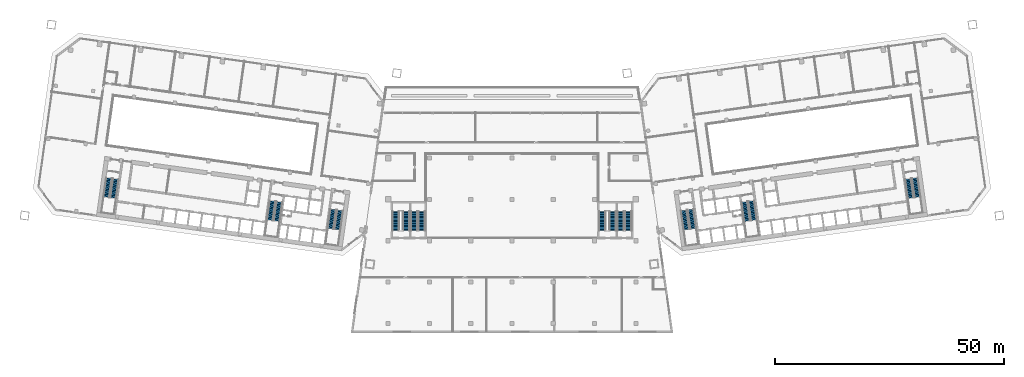
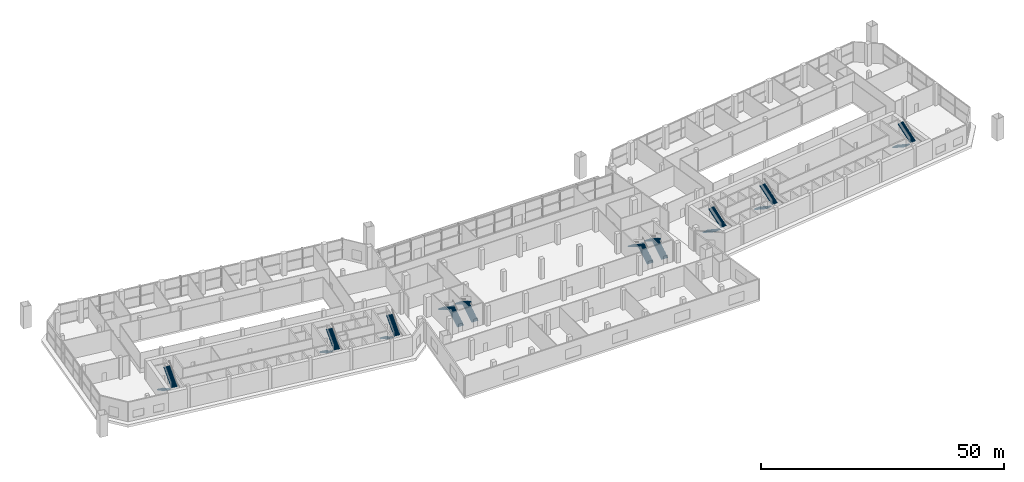
# One storey, part 19 of 23: 20 stair flights, 10 elements without a shape of their own.
"""IFC4 building model written with IfcOpenShell, lengths in metres."""

from ifc_helpers import new_model, si_unit, direction, frame, origin, place, context, subcontext, project, spatial, polyline, outline, extrude, material, type_object, element, aggregate, save


model = new_model("IFC4")

# Units and contexts
model_context = context("Model", 3, precision=1e-05, world=origin(), true_north=direction((0.0, 1.0)))
body_context = subcontext(model_context, "Body", "Model", "MODEL_VIEW")
ifc_project = project(units=[si_unit("LENGTHUNIT", "METRE"), si_unit("AREAUNIT", "SQUARE_METRE"), si_unit("VOLUMEUNIT", "CUBIC_METRE"), si_unit("PLANEANGLEUNIT", "RADIAN"), si_unit("MASSUNIT", "GRAM", prefix="KILO")], contexts=[model_context])

# Site, building, storey
site_placement = place(None, origin())
site = spatial("IfcSite", under=ifc_project, at=site_placement, CompositionType="ELEMENT")
building_placement = place(site_placement, origin())
building = spatial("IfcBuilding", under=site, at=building_placement, Name="Mirante Cascada Hotel Towers", CompositionType="ELEMENT")
storey_placement = place(building_placement, frame((0.0, 0.0, 29.0)))
storey = spatial("IfcBuildingStorey", under=building, at=storey_placement, Name="L04", CompositionType="ELEMENT", Elevation=29.0)

# Stair, stair flights
ifc_material_1 = material(Name="Concrete C35/45", Category="concrete")
stair_type_1 = type_object("IfcStairType", Name="Exit stair half-turn 1350 concrete C35/45", PredefinedType="HALF_TURN_STAIR", material=ifc_material_1)
stair_1_placement = place(storey_placement, origin())
stair_1 = element("IfcStair", 1, at=stair_1_placement, inside=storey, type_object=stair_type_1, Name="L04 Exit stair A", PredefinedType="HALF_TURN_STAIR")
ifc_material_2 = material(Name="Concrete C35/45", Category="concrete")
stair_flight_type_1 = type_object("IfcStairFlightType", Name="Exit stair flight 1350 concrete C35/45", PredefinedType="STRAIGHT", material=ifc_material_2)
stair_flight_1_placement = place(storey_placement, frame((-38.9417, -11.195, 0.0), z_axis=(0.0, 0.0, 1.0), x_axis=(-0.1391731, -0.9902681, 0.0)))
stair_flight_1 = element("IfcStairFlight", 2, at=stair_flight_1_placement, type_object=stair_flight_type_1, Name="ST1-A flight 1", NumberOfRisers=16, NumberOfTreads=15, PredefinedType="STRAIGHT", RiserHeight=0.171875, TreadLength=0.28, context=body_context, shape_type="SweptSolid", body=[
    extrude(outline(polyline([(0.0, 0.0), (0.0, 0.1719), (0.28, 0.1719), (0.28, 0.3438), (0.56, 0.3438), (0.56, 0.5156), (0.84, 0.5156), (0.84, 0.6875), (1.12, 0.6875), (1.12, 0.8594), (1.4, 0.8594), (1.4, 1.0312), (1.68, 1.0312), (1.68, 1.2031), (1.96, 1.2031), (1.96, 1.375), (2.24, 1.375), (2.24, 1.5469), (2.52, 1.5469), (2.52, 1.7188), (2.8, 1.7188), (2.8, 1.8906), (3.08, 1.8906), (3.08, 2.0625), (3.36, 2.0625), (3.36, 2.2344), (3.64, 2.2344), (3.64, 2.4062), (3.92, 2.4062), (3.92, 2.5781), (4.2, 2.5781), (4.2, 2.75), (4.2, 2.4021), (0.2867, 0.0), (0.0, 0.0)])), frame((0.0, 0.675, 0.0), z_axis=(0.0, -1.0, 0.0), x_axis=(1.0, 0.0, 0.0)), (0.0, 0.0, 1.0), 1.35),
])
stair_flight_2_placement = place(storey_placement, frame((-38.0408, -15.5629, 2.75), z_axis=(0.0, 0.0, 1.0), x_axis=(0.1391731, 0.9902681, 0.0)))
stair_flight_2 = element("IfcStairFlight", 3, at=stair_flight_2_placement, type_object=stair_flight_type_1, Name="ST1-A flight 2", NumberOfRisers=16, NumberOfTreads=15, PredefinedType="STRAIGHT", RiserHeight=0.171875, TreadLength=0.28, context=body_context, shape_type="SweptSolid", body=[
    extrude(outline(polyline([(0.0, 0.0), (0.0, 0.1719), (0.28, 0.1719), (0.28, 0.3438), (0.56, 0.3438), (0.56, 0.5156), (0.84, 0.5156), (0.84, 0.6875), (1.12, 0.6875), (1.12, 0.8594), (1.4, 0.8594), (1.4, 1.0312), (1.68, 1.0312), (1.68, 1.2031), (1.96, 1.2031), (1.96, 1.375), (2.24, 1.375), (2.24, 1.5469), (2.52, 1.5469), (2.52, 1.7188), (2.8, 1.7188), (2.8, 1.8906), (3.08, 1.8906), (3.08, 2.0625), (3.36, 2.0625), (3.36, 2.2344), (3.64, 2.2344), (3.64, 2.4062), (3.92, 2.4062), (3.92, 2.5781), (4.2, 2.5781), (4.2, 2.75), (4.2, 2.4021), (0.2867, 0.0), (0.0, 0.0)])), frame((0.0, 0.675, 0.0), z_axis=(0.0, -1.0, 0.0), x_axis=(1.0, 0.0, 0.0)), (0.0, 0.0, 1.0), 1.35),
])
aggregate(stair_1, [stair_flight_1, stair_flight_2])

stair_2_placement = place(storey_placement, origin())
stair_2 = element("IfcStair", 4, at=stair_2_placement, inside=storey, type_object=stair_type_1, Name="L04 Exit stair B", PredefinedType="HALF_TURN_STAIR")
stair_flight_3_placement = place(storey_placement, frame((-52.1618, -9.3371, 0.0), z_axis=(0.0, 0.0, 1.0), x_axis=(-0.1391731, -0.9902681, 0.0)))
stair_flight_3 = element("IfcStairFlight", 5, at=stair_flight_3_placement, type_object=stair_flight_type_1, Name="ST1-B flight 1", NumberOfRisers=16, NumberOfTreads=15, PredefinedType="STRAIGHT", RiserHeight=0.171875, TreadLength=0.28, context=body_context, shape_type="SweptSolid", body=[
    extrude(outline(polyline([(0.0, 0.0), (0.0, 0.1719), (0.28, 0.1719), (0.28, 0.3438), (0.56, 0.3438), (0.56, 0.5156), (0.84, 0.5156), (0.84, 0.6875), (1.12, 0.6875), (1.12, 0.8594), (1.4, 0.8594), (1.4, 1.0312), (1.68, 1.0312), (1.68, 1.2031), (1.96, 1.2031), (1.96, 1.375), (2.24, 1.375), (2.24, 1.5469), (2.52, 1.5469), (2.52, 1.7188), (2.8, 1.7188), (2.8, 1.8906), (3.08, 1.8906), (3.08, 2.0625), (3.36, 2.0625), (3.36, 2.2344), (3.64, 2.2344), (3.64, 2.4062), (3.92, 2.4062), (3.92, 2.5781), (4.2, 2.5781), (4.2, 2.75), (4.2, 2.4021), (0.2867, 0.0), (0.0, 0.0)])), frame((0.0, 0.675, 0.0), z_axis=(0.0, -1.0, 0.0), x_axis=(1.0, 0.0, 0.0)), (0.0, 0.0, 1.0), 1.35),
])
stair_flight_4_placement = place(storey_placement, frame((-51.2609, -13.705, 2.75), z_axis=(0.0, 0.0, 1.0), x_axis=(0.1391731, 0.9902681, 0.0)))
stair_flight_4 = element("IfcStairFlight", 6, at=stair_flight_4_placement, type_object=stair_flight_type_1, Name="ST1-B flight 2", NumberOfRisers=16, NumberOfTreads=15, PredefinedType="STRAIGHT", RiserHeight=0.171875, TreadLength=0.28, context=body_context, shape_type="SweptSolid", body=[
    extrude(outline(polyline([(0.0, 0.0), (0.0, 0.1719), (0.28, 0.1719), (0.28, 0.3438), (0.56, 0.3438), (0.56, 0.5156), (0.84, 0.5156), (0.84, 0.6875), (1.12, 0.6875), (1.12, 0.8594), (1.4, 0.8594), (1.4, 1.0312), (1.68, 1.0312), (1.68, 1.2031), (1.96, 1.2031), (1.96, 1.375), (2.24, 1.375), (2.24, 1.5469), (2.52, 1.5469), (2.52, 1.7188), (2.8, 1.7188), (2.8, 1.8906), (3.08, 1.8906), (3.08, 2.0625), (3.36, 2.0625), (3.36, 2.2344), (3.64, 2.2344), (3.64, 2.4062), (3.92, 2.4062), (3.92, 2.5781), (4.2, 2.5781), (4.2, 2.75), (4.2, 2.4021), (0.2867, 0.0), (0.0, 0.0)])), frame((0.0, 0.675, 0.0), z_axis=(0.0, -1.0, 0.0), x_axis=(1.0, 0.0, 0.0)), (0.0, 0.0, 1.0), 1.35),
])
aggregate(stair_2, [stair_flight_3, stair_flight_4])

stair_3_placement = place(storey_placement, origin())
stair_3 = element("IfcStair", 7, at=stair_3_placement, inside=storey, type_object=stair_type_1, Name="L04 Exit stair C", PredefinedType="HALF_TURN_STAIR")
stair_flight_5_placement = place(storey_placement, frame((-87.8115, -4.3268, 0.0), z_axis=(0.0, 0.0, 1.0), x_axis=(-0.1391731, -0.9902681, 0.0)))
stair_flight_5 = element("IfcStairFlight", 8, at=stair_flight_5_placement, type_object=stair_flight_type_1, Name="ST1-C flight 1", NumberOfRisers=16, NumberOfTreads=15, PredefinedType="STRAIGHT", RiserHeight=0.171875, TreadLength=0.28, context=body_context, shape_type="SweptSolid", body=[
    extrude(outline(polyline([(0.0, 0.0), (0.0, 0.1719), (0.28, 0.1719), (0.28, 0.3438), (0.56, 0.3438), (0.56, 0.5156), (0.84, 0.5156), (0.84, 0.6875), (1.12, 0.6875), (1.12, 0.8594), (1.4, 0.8594), (1.4, 1.0312), (1.68, 1.0312), (1.68, 1.2031), (1.96, 1.2031), (1.96, 1.375), (2.24, 1.375), (2.24, 1.5469), (2.52, 1.5469), (2.52, 1.7188), (2.8, 1.7188), (2.8, 1.8906), (3.08, 1.8906), (3.08, 2.0625), (3.36, 2.0625), (3.36, 2.2344), (3.64, 2.2344), (3.64, 2.4062), (3.92, 2.4062), (3.92, 2.5781), (4.2, 2.5781), (4.2, 2.75), (4.2, 2.4021), (0.2867, 0.0), (0.0, 0.0)])), frame((0.0, 0.675, 0.0), z_axis=(0.0, -1.0, 0.0), x_axis=(1.0, 0.0, 0.0)), (0.0, 0.0, 1.0), 1.35),
])
stair_flight_6_placement = place(storey_placement, frame((-86.9106, -8.6947, 2.75), z_axis=(0.0, 0.0, 1.0), x_axis=(0.1391731, 0.9902681, 0.0)))
stair_flight_6 = element("IfcStairFlight", 9, at=stair_flight_6_placement, type_object=stair_flight_type_1, Name="ST1-C flight 2", NumberOfRisers=16, NumberOfTreads=15, PredefinedType="STRAIGHT", RiserHeight=0.171875, TreadLength=0.28, context=body_context, shape_type="SweptSolid", body=[
    extrude(outline(polyline([(0.0, 0.0), (0.0, 0.1719), (0.28, 0.1719), (0.28, 0.3438), (0.56, 0.3438), (0.56, 0.5156), (0.84, 0.5156), (0.84, 0.6875), (1.12, 0.6875), (1.12, 0.8594), (1.4, 0.8594), (1.4, 1.0312), (1.68, 1.0312), (1.68, 1.2031), (1.96, 1.2031), (1.96, 1.375), (2.24, 1.375), (2.24, 1.5469), (2.52, 1.5469), (2.52, 1.7188), (2.8, 1.7188), (2.8, 1.8906), (3.08, 1.8906), (3.08, 2.0625), (3.36, 2.0625), (3.36, 2.2344), (3.64, 2.2344), (3.64, 2.4062), (3.92, 2.4062), (3.92, 2.5781), (4.2, 2.5781), (4.2, 2.75), (4.2, 2.4021), (0.2867, 0.0), (0.0, 0.0)])), frame((0.0, 0.675, 0.0), z_axis=(0.0, -1.0, 0.0), x_axis=(1.0, 0.0, 0.0)), (0.0, 0.0, 1.0), 1.35),
])
aggregate(stair_3, [stair_flight_5, stair_flight_6])

stair_4_placement = place(storey_placement, origin())
stair_4 = element("IfcStair", 10, at=stair_4_placement, inside=storey, type_object=stair_type_1, Name="L04 Exit stair A", PredefinedType="HALF_TURN_STAIR")
stair_flight_7_placement = place(storey_placement, frame((37.4563, -11.4038, 0.0), z_axis=(0.0, 0.0, 1.0), x_axis=(0.1391731, -0.9902681, 0.0)))
stair_flight_7 = element("IfcStairFlight", 11, at=stair_flight_7_placement, type_object=stair_flight_type_1, Name="ST2-A flight 1", NumberOfRisers=16, NumberOfTreads=15, PredefinedType="STRAIGHT", RiserHeight=0.171875, TreadLength=0.28, context=body_context, shape_type="SweptSolid", body=[
    extrude(outline(polyline([(0.0, 0.0), (0.0, 0.1719), (0.28, 0.1719), (0.28, 0.3438), (0.56, 0.3438), (0.56, 0.5156), (0.84, 0.5156), (0.84, 0.6875), (1.12, 0.6875), (1.12, 0.8594), (1.4, 0.8594), (1.4, 1.0312), (1.68, 1.0312), (1.68, 1.2031), (1.96, 1.2031), (1.96, 1.375), (2.24, 1.375), (2.24, 1.5469), (2.52, 1.5469), (2.52, 1.7188), (2.8, 1.7188), (2.8, 1.8906), (3.08, 1.8906), (3.08, 2.0625), (3.36, 2.0625), (3.36, 2.2344), (3.64, 2.2344), (3.64, 2.4062), (3.92, 2.4062), (3.92, 2.5781), (4.2, 2.5781), (4.2, 2.75), (4.2, 2.4021), (0.2867, 0.0), (0.0, 0.0)])), frame((0.0, 0.675, 0.0), z_axis=(0.0, -1.0, 0.0), x_axis=(1.0, 0.0, 0.0)), (0.0, 0.0, 1.0), 1.35),
])
stair_flight_8_placement = place(storey_placement, frame((39.5262, -15.3542, 2.75), z_axis=(0.0, 0.0, 1.0), x_axis=(-0.1391731, 0.9902681, 0.0)))
stair_flight_8 = element("IfcStairFlight", 12, at=stair_flight_8_placement, type_object=stair_flight_type_1, Name="ST2-A flight 2", NumberOfRisers=16, NumberOfTreads=15, PredefinedType="STRAIGHT", RiserHeight=0.171875, TreadLength=0.28, context=body_context, shape_type="SweptSolid", body=[
    extrude(outline(polyline([(0.0, 0.0), (0.0, 0.1719), (0.28, 0.1719), (0.28, 0.3438), (0.56, 0.3438), (0.56, 0.5156), (0.84, 0.5156), (0.84, 0.6875), (1.12, 0.6875), (1.12, 0.8594), (1.4, 0.8594), (1.4, 1.0312), (1.68, 1.0312), (1.68, 1.2031), (1.96, 1.2031), (1.96, 1.375), (2.24, 1.375), (2.24, 1.5469), (2.52, 1.5469), (2.52, 1.7188), (2.8, 1.7188), (2.8, 1.8906), (3.08, 1.8906), (3.08, 2.0625), (3.36, 2.0625), (3.36, 2.2344), (3.64, 2.2344), (3.64, 2.4062), (3.92, 2.4062), (3.92, 2.5781), (4.2, 2.5781), (4.2, 2.75), (4.2, 2.4021), (0.2867, 0.0), (0.0, 0.0)])), frame((0.0, 0.675, 0.0), z_axis=(0.0, -1.0, 0.0), x_axis=(1.0, 0.0, 0.0)), (0.0, 0.0, 1.0), 1.35),
])
aggregate(stair_4, [stair_flight_7, stair_flight_8])

stair_5_placement = place(storey_placement, origin())
stair_5 = element("IfcStair", 13, at=stair_5_placement, inside=storey, type_object=stair_type_1, Name="L04 Exit stair B", PredefinedType="HALF_TURN_STAIR")
stair_flight_9_placement = place(storey_placement, frame((50.6764, -9.5458, 0.0), z_axis=(0.0, 0.0, 1.0), x_axis=(0.1391731, -0.9902681, 0.0)))
stair_flight_9 = element("IfcStairFlight", 14, at=stair_flight_9_placement, type_object=stair_flight_type_1, Name="ST2-B flight 1", NumberOfRisers=16, NumberOfTreads=15, PredefinedType="STRAIGHT", RiserHeight=0.171875, TreadLength=0.28, context=body_context, shape_type="SweptSolid", body=[
    extrude(outline(polyline([(0.0, 0.0), (0.0, 0.1719), (0.28, 0.1719), (0.28, 0.3438), (0.56, 0.3438), (0.56, 0.5156), (0.84, 0.5156), (0.84, 0.6875), (1.12, 0.6875), (1.12, 0.8594), (1.4, 0.8594), (1.4, 1.0312), (1.68, 1.0312), (1.68, 1.2031), (1.96, 1.2031), (1.96, 1.375), (2.24, 1.375), (2.24, 1.5469), (2.52, 1.5469), (2.52, 1.7188), (2.8, 1.7188), (2.8, 1.8906), (3.08, 1.8906), (3.08, 2.0625), (3.36, 2.0625), (3.36, 2.2344), (3.64, 2.2344), (3.64, 2.4062), (3.92, 2.4062), (3.92, 2.5781), (4.2, 2.5781), (4.2, 2.75), (4.2, 2.4021), (0.2867, 0.0), (0.0, 0.0)])), frame((0.0, 0.675, 0.0), z_axis=(0.0, -1.0, 0.0), x_axis=(1.0, 0.0, 0.0)), (0.0, 0.0, 1.0), 1.35),
])
stair_flight_10_placement = place(storey_placement, frame((52.7463, -13.4962, 2.75), z_axis=(0.0, 0.0, 1.0), x_axis=(-0.1391731, 0.9902681, 0.0)))
stair_flight_10 = element("IfcStairFlight", 15, at=stair_flight_10_placement, type_object=stair_flight_type_1, Name="ST2-B flight 2", NumberOfRisers=16, NumberOfTreads=15, PredefinedType="STRAIGHT", RiserHeight=0.171875, TreadLength=0.28, context=body_context, shape_type="SweptSolid", body=[
    extrude(outline(polyline([(0.0, 0.0), (0.0, 0.1719), (0.28, 0.1719), (0.28, 0.3438), (0.56, 0.3438), (0.56, 0.5156), (0.84, 0.5156), (0.84, 0.6875), (1.12, 0.6875), (1.12, 0.8594), (1.4, 0.8594), (1.4, 1.0312), (1.68, 1.0312), (1.68, 1.2031), (1.96, 1.2031), (1.96, 1.375), (2.24, 1.375), (2.24, 1.5469), (2.52, 1.5469), (2.52, 1.7188), (2.8, 1.7188), (2.8, 1.8906), (3.08, 1.8906), (3.08, 2.0625), (3.36, 2.0625), (3.36, 2.2344), (3.64, 2.2344), (3.64, 2.4062), (3.92, 2.4062), (3.92, 2.5781), (4.2, 2.5781), (4.2, 2.75), (4.2, 2.4021), (0.2867, 0.0), (0.0, 0.0)])), frame((0.0, 0.675, 0.0), z_axis=(0.0, -1.0, 0.0), x_axis=(1.0, 0.0, 0.0)), (0.0, 0.0, 1.0), 1.35),
])
aggregate(stair_5, [stair_flight_9, stair_flight_10])

stair_6_placement = place(storey_placement, origin())
stair_6 = element("IfcStair", 16, at=stair_6_placement, inside=storey, type_object=stair_type_1, Name="L04 Exit stair C", PredefinedType="HALF_TURN_STAIR")
stair_flight_11_placement = place(storey_placement, frame((86.326, -4.5356, 0.0), z_axis=(0.0, 0.0, 1.0), x_axis=(0.1391731, -0.9902681, 0.0)))
stair_flight_11 = element("IfcStairFlight", 17, at=stair_flight_11_placement, type_object=stair_flight_type_1, Name="ST2-C flight 1", NumberOfRisers=16, NumberOfTreads=15, PredefinedType="STRAIGHT", RiserHeight=0.171875, TreadLength=0.28, context=body_context, shape_type="SweptSolid", body=[
    extrude(outline(polyline([(0.0, 0.0), (0.0, 0.1719), (0.28, 0.1719), (0.28, 0.3438), (0.56, 0.3438), (0.56, 0.5156), (0.84, 0.5156), (0.84, 0.6875), (1.12, 0.6875), (1.12, 0.8594), (1.4, 0.8594), (1.4, 1.0312), (1.68, 1.0312), (1.68, 1.2031), (1.96, 1.2031), (1.96, 1.375), (2.24, 1.375), (2.24, 1.5469), (2.52, 1.5469), (2.52, 1.7188), (2.8, 1.7188), (2.8, 1.8906), (3.08, 1.8906), (3.08, 2.0625), (3.36, 2.0625), (3.36, 2.2344), (3.64, 2.2344), (3.64, 2.4062), (3.92, 2.4062), (3.92, 2.5781), (4.2, 2.5781), (4.2, 2.75), (4.2, 2.4021), (0.2867, 0.0), (0.0, 0.0)])), frame((0.0, 0.675, 0.0), z_axis=(0.0, -1.0, 0.0), x_axis=(1.0, 0.0, 0.0)), (0.0, 0.0, 1.0), 1.35),
])
stair_flight_12_placement = place(storey_placement, frame((88.396, -8.486, 2.75), z_axis=(0.0, 0.0, 1.0), x_axis=(-0.1391731, 0.9902681, 0.0)))
stair_flight_12 = element("IfcStairFlight", 18, at=stair_flight_12_placement, type_object=stair_flight_type_1, Name="ST2-C flight 2", NumberOfRisers=16, NumberOfTreads=15, PredefinedType="STRAIGHT", RiserHeight=0.171875, TreadLength=0.28, context=body_context, shape_type="SweptSolid", body=[
    extrude(outline(polyline([(0.0, 0.0), (0.0, 0.1719), (0.28, 0.1719), (0.28, 0.3438), (0.56, 0.3438), (0.56, 0.5156), (0.84, 0.5156), (0.84, 0.6875), (1.12, 0.6875), (1.12, 0.8594), (1.4, 0.8594), (1.4, 1.0312), (1.68, 1.0312), (1.68, 1.2031), (1.96, 1.2031), (1.96, 1.375), (2.24, 1.375), (2.24, 1.5469), (2.52, 1.5469), (2.52, 1.7188), (2.8, 1.7188), (2.8, 1.8906), (3.08, 1.8906), (3.08, 2.0625), (3.36, 2.0625), (3.36, 2.2344), (3.64, 2.2344), (3.64, 2.4062), (3.92, 2.4062), (3.92, 2.5781), (4.2, 2.5781), (4.2, 2.75), (4.2, 2.4021), (0.2867, 0.0), (0.0, 0.0)])), frame((0.0, 0.675, 0.0), z_axis=(0.0, -1.0, 0.0), x_axis=(1.0, 0.0, 0.0)), (0.0, 0.0, 1.0), 1.35),
])
aggregate(stair_6, [stair_flight_11, stair_flight_12])

ifc_material_3 = material(Name="Concrete C35/45", Category="concrete")
stair_type_2 = type_object("IfcStairType", Name="Podium exit stair half-turn 1500 concrete C35/45", PredefinedType="HALF_TURN_STAIR", material=ifc_material_3)
stair_7_placement = place(storey_placement, origin())
stair_7 = element("IfcStair", 19, at=stair_7_placement, inside=storey, type_object=stair_type_2, Name="L04 Podium exit stair 3", PredefinedType="HALF_TURN_STAIR")
ifc_material_4 = material(Name="Concrete C35/45", Category="concrete")
stair_flight_type_2 = type_object("IfcStairFlightType", Name="Podium exit stair flight 1500 concrete C35/45", PredefinedType="STRAIGHT", material=ifc_material_4)
stair_flight_13_placement = place(storey_placement, frame((-19.675, -15.775, 0.0), z_axis=(0.0, 0.0, 1.0), x_axis=(0.0, 1.0, 0.0)))
stair_flight_13 = element("IfcStairFlight", 20, at=stair_flight_13_placement, type_object=stair_flight_type_2, Name="PS1 flight 1", NumberOfRisers=16, NumberOfTreads=15, PredefinedType="STRAIGHT", RiserHeight=0.171875, TreadLength=0.28, context=body_context, shape_type="SweptSolid", body=[
    extrude(outline(polyline([(0.0, 0.0), (0.0, 0.1719), (0.28, 0.1719), (0.28, 0.3438), (0.56, 0.3438), (0.56, 0.5156), (0.84, 0.5156), (0.84, 0.6875), (1.12, 0.6875), (1.12, 0.8594), (1.4, 0.8594), (1.4, 1.0312), (1.68, 1.0312), (1.68, 1.2031), (1.96, 1.2031), (1.96, 1.375), (2.24, 1.375), (2.24, 1.5469), (2.52, 1.5469), (2.52, 1.7188), (2.8, 1.7188), (2.8, 1.8906), (3.08, 1.8906), (3.08, 2.0625), (3.36, 2.0625), (3.36, 2.2344), (3.64, 2.2344), (3.64, 2.4062), (3.92, 2.4062), (3.92, 2.5781), (4.2, 2.5781), (4.2, 2.75), (4.2, 2.4021), (0.2867, 0.0), (0.0, 0.0)])), frame((0.0, 0.75, 0.0), z_axis=(0.0, -1.0, 0.0), x_axis=(1.0, 0.0, 0.0)), (0.0, 0.0, 1.0), 1.5),
])
stair_flight_14_placement = place(storey_placement, frame((-21.325, -11.575, 2.75), z_axis=(0.0, 0.0, 1.0), x_axis=(0.0, -1.0, 0.0)))
stair_flight_14 = element("IfcStairFlight", 21, at=stair_flight_14_placement, type_object=stair_flight_type_2, Name="PS1 flight 2", NumberOfRisers=16, NumberOfTreads=15, PredefinedType="STRAIGHT", RiserHeight=0.171875, TreadLength=0.28, context=body_context, shape_type="SweptSolid", body=[
    extrude(outline(polyline([(0.0, 0.0), (0.0, 0.1719), (0.28, 0.1719), (0.28, 0.3438), (0.56, 0.3438), (0.56, 0.5156), (0.84, 0.5156), (0.84, 0.6875), (1.12, 0.6875), (1.12, 0.8594), (1.4, 0.8594), (1.4, 1.0312), (1.68, 1.0312), (1.68, 1.2031), (1.96, 1.2031), (1.96, 1.375), (2.24, 1.375), (2.24, 1.5469), (2.52, 1.5469), (2.52, 1.7188), (2.8, 1.7188), (2.8, 1.8906), (3.08, 1.8906), (3.08, 2.0625), (3.36, 2.0625), (3.36, 2.2344), (3.64, 2.2344), (3.64, 2.4062), (3.92, 2.4062), (3.92, 2.5781), (4.2, 2.5781), (4.2, 2.75), (4.2, 2.4021), (0.2867, 0.0), (0.0, 0.0)])), frame((0.0, 0.75, 0.0), z_axis=(0.0, -1.0, 0.0), x_axis=(1.0, 0.0, 0.0)), (0.0, 0.0, 1.0), 1.5),
])
aggregate(stair_7, [stair_flight_13, stair_flight_14])

stair_8_placement = place(storey_placement, origin())
stair_8 = element("IfcStair", 22, at=stair_8_placement, inside=storey, type_object=stair_type_2, Name="L04 Podium exit stair 5", PredefinedType="HALF_TURN_STAIR")
stair_flight_15_placement = place(storey_placement, frame((-23.075, -15.775, 0.0), z_axis=(0.0, 0.0, 1.0), x_axis=(0.0, 1.0, 0.0)))
stair_flight_15 = element("IfcStairFlight", 23, at=stair_flight_15_placement, type_object=stair_flight_type_2, Name="PS3 flight 1", NumberOfRisers=16, NumberOfTreads=15, PredefinedType="STRAIGHT", RiserHeight=0.171875, TreadLength=0.28, context=body_context, shape_type="SweptSolid", body=[
    extrude(outline(polyline([(0.0, 0.0), (0.0, 0.1719), (0.28, 0.1719), (0.28, 0.3438), (0.56, 0.3438), (0.56, 0.5156), (0.84, 0.5156), (0.84, 0.6875), (1.12, 0.6875), (1.12, 0.8594), (1.4, 0.8594), (1.4, 1.0312), (1.68, 1.0312), (1.68, 1.2031), (1.96, 1.2031), (1.96, 1.375), (2.24, 1.375), (2.24, 1.5469), (2.52, 1.5469), (2.52, 1.7188), (2.8, 1.7188), (2.8, 1.8906), (3.08, 1.8906), (3.08, 2.0625), (3.36, 2.0625), (3.36, 2.2344), (3.64, 2.2344), (3.64, 2.4062), (3.92, 2.4062), (3.92, 2.5781), (4.2, 2.5781), (4.2, 2.75), (4.2, 2.4021), (0.2867, 0.0), (0.0, 0.0)])), frame((0.0, 0.75, 0.0), z_axis=(0.0, -1.0, 0.0), x_axis=(1.0, 0.0, 0.0)), (0.0, 0.0, 1.0), 1.5),
])
stair_flight_16_placement = place(storey_placement, frame((-25.325, -11.575, 2.75), z_axis=(0.0, 0.0, 1.0), x_axis=(0.0, -1.0, 0.0)))
stair_flight_16 = element("IfcStairFlight", 24, at=stair_flight_16_placement, type_object=stair_flight_type_2, Name="PS3 flight 2", NumberOfRisers=16, NumberOfTreads=15, PredefinedType="STRAIGHT", RiserHeight=0.171875, TreadLength=0.28, context=body_context, shape_type="SweptSolid", body=[
    extrude(outline(polyline([(0.0, 0.0), (0.0, 0.1719), (0.28, 0.1719), (0.28, 0.3438), (0.56, 0.3438), (0.56, 0.5156), (0.84, 0.5156), (0.84, 0.6875), (1.12, 0.6875), (1.12, 0.8594), (1.4, 0.8594), (1.4, 1.0312), (1.68, 1.0312), (1.68, 1.2031), (1.96, 1.2031), (1.96, 1.375), (2.24, 1.375), (2.24, 1.5469), (2.52, 1.5469), (2.52, 1.7188), (2.8, 1.7188), (2.8, 1.8906), (3.08, 1.8906), (3.08, 2.0625), (3.36, 2.0625), (3.36, 2.2344), (3.64, 2.2344), (3.64, 2.4062), (3.92, 2.4062), (3.92, 2.5781), (4.2, 2.5781), (4.2, 2.75), (4.2, 2.4021), (0.2867, 0.0), (0.0, 0.0)])), frame((0.0, 0.75, 0.0), z_axis=(0.0, -1.0, 0.0), x_axis=(1.0, 0.0, 0.0)), (0.0, 0.0, 1.0), 1.5),
])
aggregate(stair_8, [stair_flight_15, stair_flight_16])

stair_9_placement = place(storey_placement, origin())
stair_9 = element("IfcStair", 25, at=stair_9_placement, inside=storey, type_object=stair_type_2, Name="L04 Podium exit stair 4", PredefinedType="HALF_TURN_STAIR")
stair_flight_17_placement = place(storey_placement, frame((25.325, -15.775, 0.0), z_axis=(0.0, 0.0, 1.0), x_axis=(0.0, 1.0, 0.0)))
stair_flight_17 = element("IfcStairFlight", 26, at=stair_flight_17_placement, type_object=stair_flight_type_2, Name="PS2 flight 1", NumberOfRisers=16, NumberOfTreads=15, PredefinedType="STRAIGHT", RiserHeight=0.171875, TreadLength=0.28, context=body_context, shape_type="SweptSolid", body=[
    extrude(outline(polyline([(0.0, 0.0), (0.0, 0.1719), (0.28, 0.1719), (0.28, 0.3438), (0.56, 0.3438), (0.56, 0.5156), (0.84, 0.5156), (0.84, 0.6875), (1.12, 0.6875), (1.12, 0.8594), (1.4, 0.8594), (1.4, 1.0312), (1.68, 1.0312), (1.68, 1.2031), (1.96, 1.2031), (1.96, 1.375), (2.24, 1.375), (2.24, 1.5469), (2.52, 1.5469), (2.52, 1.7188), (2.8, 1.7188), (2.8, 1.8906), (3.08, 1.8906), (3.08, 2.0625), (3.36, 2.0625), (3.36, 2.2344), (3.64, 2.2344), (3.64, 2.4062), (3.92, 2.4062), (3.92, 2.5781), (4.2, 2.5781), (4.2, 2.75), (4.2, 2.4021), (0.2867, 0.0), (0.0, 0.0)])), frame((0.0, 0.75, 0.0), z_axis=(0.0, -1.0, 0.0), x_axis=(1.0, 0.0, 0.0)), (0.0, 0.0, 1.0), 1.5),
])
stair_flight_18_placement = place(storey_placement, frame((23.675, -11.575, 2.75), z_axis=(0.0, 0.0, 1.0), x_axis=(0.0, -1.0, 0.0)))
stair_flight_18 = element("IfcStairFlight", 27, at=stair_flight_18_placement, type_object=stair_flight_type_2, Name="PS2 flight 2", NumberOfRisers=16, NumberOfTreads=15, PredefinedType="STRAIGHT", RiserHeight=0.171875, TreadLength=0.28, context=body_context, shape_type="SweptSolid", body=[
    extrude(outline(polyline([(0.0, 0.0), (0.0, 0.1719), (0.28, 0.1719), (0.28, 0.3438), (0.56, 0.3438), (0.56, 0.5156), (0.84, 0.5156), (0.84, 0.6875), (1.12, 0.6875), (1.12, 0.8594), (1.4, 0.8594), (1.4, 1.0312), (1.68, 1.0312), (1.68, 1.2031), (1.96, 1.2031), (1.96, 1.375), (2.24, 1.375), (2.24, 1.5469), (2.52, 1.5469), (2.52, 1.7188), (2.8, 1.7188), (2.8, 1.8906), (3.08, 1.8906), (3.08, 2.0625), (3.36, 2.0625), (3.36, 2.2344), (3.64, 2.2344), (3.64, 2.4062), (3.92, 2.4062), (3.92, 2.5781), (4.2, 2.5781), (4.2, 2.75), (4.2, 2.4021), (0.2867, 0.0), (0.0, 0.0)])), frame((0.0, 0.75, 0.0), z_axis=(0.0, -1.0, 0.0), x_axis=(1.0, 0.0, 0.0)), (0.0, 0.0, 1.0), 1.5),
])
aggregate(stair_9, [stair_flight_17, stair_flight_18])

stair_10_placement = place(storey_placement, origin())
stair_10 = element("IfcStair", 28, at=stair_10_placement, inside=storey, type_object=stair_type_2, Name="L04 Podium exit stair 6", PredefinedType="HALF_TURN_STAIR")
stair_flight_19_placement = place(storey_placement, frame((21.925, -15.775, 0.0), z_axis=(0.0, 0.0, 1.0), x_axis=(0.0, 1.0, 0.0)))
stair_flight_19 = element("IfcStairFlight", 29, at=stair_flight_19_placement, type_object=stair_flight_type_2, Name="PS4 flight 1", NumberOfRisers=16, NumberOfTreads=15, PredefinedType="STRAIGHT", RiserHeight=0.171875, TreadLength=0.28, context=body_context, shape_type="SweptSolid", body=[
    extrude(outline(polyline([(0.0, 0.0), (0.0, 0.1719), (0.28, 0.1719), (0.28, 0.3438), (0.56, 0.3438), (0.56, 0.5156), (0.84, 0.5156), (0.84, 0.6875), (1.12, 0.6875), (1.12, 0.8594), (1.4, 0.8594), (1.4, 1.0312), (1.68, 1.0312), (1.68, 1.2031), (1.96, 1.2031), (1.96, 1.375), (2.24, 1.375), (2.24, 1.5469), (2.52, 1.5469), (2.52, 1.7188), (2.8, 1.7188), (2.8, 1.8906), (3.08, 1.8906), (3.08, 2.0625), (3.36, 2.0625), (3.36, 2.2344), (3.64, 2.2344), (3.64, 2.4062), (3.92, 2.4062), (3.92, 2.5781), (4.2, 2.5781), (4.2, 2.75), (4.2, 2.4021), (0.2867, 0.0), (0.0, 0.0)])), frame((0.0, 0.75, 0.0), z_axis=(0.0, -1.0, 0.0), x_axis=(1.0, 0.0, 0.0)), (0.0, 0.0, 1.0), 1.5),
])
stair_flight_20_placement = place(storey_placement, frame((19.675, -11.575, 2.75), z_axis=(0.0, 0.0, 1.0), x_axis=(0.0, -1.0, 0.0)))
stair_flight_20 = element("IfcStairFlight", 30, at=stair_flight_20_placement, type_object=stair_flight_type_2, Name="PS4 flight 2", NumberOfRisers=16, NumberOfTreads=15, PredefinedType="STRAIGHT", RiserHeight=0.171875, TreadLength=0.28, context=body_context, shape_type="SweptSolid", body=[
    extrude(outline(polyline([(0.0, 0.0), (0.0, 0.1719), (0.28, 0.1719), (0.28, 0.3438), (0.56, 0.3438), (0.56, 0.5156), (0.84, 0.5156), (0.84, 0.6875), (1.12, 0.6875), (1.12, 0.8594), (1.4, 0.8594), (1.4, 1.0312), (1.68, 1.0312), (1.68, 1.2031), (1.96, 1.2031), (1.96, 1.375), (2.24, 1.375), (2.24, 1.5469), (2.52, 1.5469), (2.52, 1.7188), (2.8, 1.7188), (2.8, 1.8906), (3.08, 1.8906), (3.08, 2.0625), (3.36, 2.0625), (3.36, 2.2344), (3.64, 2.2344), (3.64, 2.4062), (3.92, 2.4062), (3.92, 2.5781), (4.2, 2.5781), (4.2, 2.75), (4.2, 2.4021), (0.2867, 0.0), (0.0, 0.0)])), frame((0.0, 0.75, 0.0), z_axis=(0.0, -1.0, 0.0), x_axis=(1.0, 0.0, 0.0)), (0.0, 0.0, 1.0), 1.5),
])
aggregate(stair_10, [stair_flight_19, stair_flight_20])

save(model, "model.ifc")
